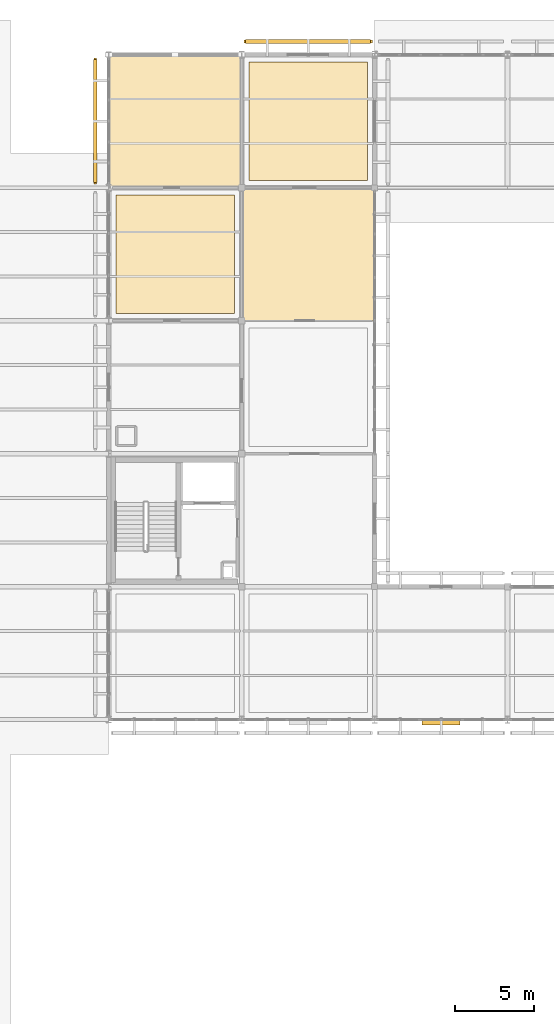
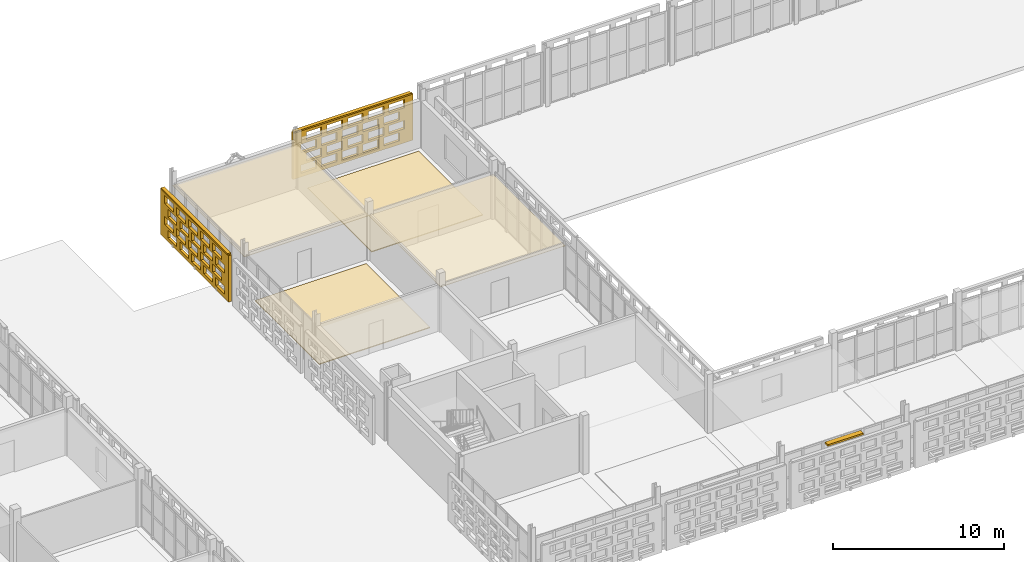
# One storey, part 139 of 166: 6 coverings, 3 shading devices, 40 openings.
"""IFC4 building model written with IfcOpenShell, lengths in metres."""

from ifc_helpers import new_model, si_unit, direction, frame, frame_2d, origin, origin_2d, place, context, subcontext, project, spatial, rectangle, extrude, material, layer, layer_set, type_object, element, save


model = new_model("IFC4")

# Units and contexts
model_context = context("Model", 3, precision=1e-05, world=origin(), true_north=direction((0.0, 1.0)))
body_context = subcontext(model_context, "Body", "Model", "MODEL_VIEW")
ifc_project = project(units=[si_unit("LENGTHUNIT", "METRE"), si_unit("AREAUNIT", "SQUARE_METRE"), si_unit("VOLUMEUNIT", "CUBIC_METRE"), si_unit("PLANEANGLEUNIT", "RADIAN"), si_unit("MASSUNIT", "GRAM", prefix="KILO")], contexts=[model_context])

# Site, building, storey
site_placement = place(None, origin())
site = spatial("IfcSite", under=ifc_project, at=site_placement, CompositionType="ELEMENT")
building_placement = place(site_placement, origin())
building = spatial("IfcBuilding", under=site, at=building_placement, Name="Varnapada Polytechnic", CompositionType="ELEMENT")
storey_placement = place(building_placement, frame((0.0, 0.0, 9.60009765625)))
storey = spatial("IfcBuildingStorey", under=building, at=storey_placement, Name="L02", CompositionType="ELEMENT", Elevation=9.60009765625)

# Coverings
ifc_material_1 = material(Name="Anti-Static Raised Laboratory Flooring")
ifc_layer_1 = layer(ifc_material_1, 0.06005859375)
ifc_layer_set_1 = layer_set([ifc_layer_1], Name="Anti-Static Raised Laboratory Flooring")
covering_type_1 = type_object("IfcCoveringType", Name="Floor Finish FLR-02", PredefinedType="FLOORING", material=ifc_layer_set_1)
for number, where, z_axis, x_axis, name in (
    (1, (54.60009765625, 113.39990234375, -0.000244140625), (0.0, 0.0, 1.0), (1.0, 0.0, 0.0), "L02 floor finish panel (7,14)"),
    (2, (63.0, 121.800048828125, -0.000244140625), (0.0, 0.0, 1.0), (1.0, 0.0, 0.0), "L02 floor finish panel (8,15)"),
):
    element("IfcCovering", number, at=place(storey_placement, frame(where, z_axis=z_axis, x_axis=x_axis)), inside=storey, type_object=covering_type_1, Name=name, PredefinedType="FLOORING", context=body_context, shape_type="SweptSolid", body=[
        extrude(rectangle(XDim=7.5, YDim=7.5, at=origin_2d()), origin(), (0.0, 0.0, 1.0), 0.06005859375),
    ])

# Shading device
ifc_material_2 = material(Name="Anodised aluminium", Category="aluminium")
ifc_layer_2 = layer(ifc_material_2, 0.35009765625)
ifc_layer_set_2 = layer_set([ifc_layer_2], Name="Anodised aluminium")
shading_device_type_1 = type_object("IfcShadingDeviceType", Name="Solar Louvre LVR-01", PredefinedType="JALOUSIE", material=ifc_layer_set_2)
shading_device_1_placement = place(storey_placement, frame((71.39990234375, 83.820068359375, 3.159912109375), z_axis=(0.0, 0.0, 1.0), x_axis=(-1.0, 0.0, 0.0)))
element("IfcShadingDevice", 3, at=shading_device_1_placement, inside=storey, type_object=shading_device_type_1, Name="L02 aluminium sun louvre 58", PredefinedType="JALOUSIE", context=body_context, shape_type="SweptSolid", body=[
    extrude(rectangle(XDim=2.39990234375, YDim=0.340087890625, at=origin_2d()), origin(), (0.0, 0.0, 1.0), 0.1201171875),
])

# Coverings
ifc_material_3 = material(Name="Moisture-Resistant Aluminum Baffle Ceiling", Category="aluminium")
ifc_layer_3 = layer(ifc_material_3, 0.030029296875)
ifc_layer_set_3 = layer_set([ifc_layer_3], Name="Moisture-Resistant Aluminum Baffle Ceiling")
covering_type_2 = type_object("IfcCoveringType", Name="Suspended Ceiling CLG-03", PredefinedType="CEILING", material=ifc_layer_set_3)
covering_1_placement = place(storey_placement, frame((63.0, 113.39990234375, 3.03466796875), z_axis=(0.0, 0.0, 1.0), x_axis=(1.0, 0.0, 0.0)))
element("IfcCovering", 4, at=covering_1_placement, inside=storey, type_object=covering_type_2, Name="L02 suspended acoustic ceiling (8,14)", PredefinedType="CEILING", context=body_context, shape_type="SweptSolid", body=[
    extrude(rectangle(XDim=8.419921875, YDim=8.419921875, at=origin_2d()), origin(), (0.0, 0.0, 1.0), 0.030029296875),
])
ifc_material_4 = material(Name="Cleanroom Laboratory Metal Pan Ceiling")
ifc_layer_4 = layer(ifc_material_4, 0.034912109375)
ifc_layer_set_4 = layer_set([ifc_layer_4], Name="Cleanroom Laboratory Metal Pan Ceiling")
covering_type_3 = type_object("IfcCoveringType", Name="Suspended Ceiling CLG-06", PredefinedType="CEILING", material=ifc_layer_set_4)
covering_2_placement = place(storey_placement, frame((54.60009765625, 121.800048828125, 3.0322265625), z_axis=(0.0, 0.0, 1.0), x_axis=(1.0, 0.0, 0.0)))
element("IfcCovering", 5, at=covering_2_placement, inside=storey, type_object=covering_type_3, Name="L02 suspended acoustic ceiling (7,15)", PredefinedType="CEILING", context=body_context, shape_type="SweptSolid", body=[
    extrude(rectangle(XDim=8.419921875, YDim=8.419921875, at=origin_2d()), origin(), (0.0, 0.0, 1.0), 0.034912109375),
])

# Covering, openings
ifc_material_5 = material(Name="Earth-toned architectural terracotta screen block", Category="masonry")
ifc_layer_5 = layer(ifc_material_5, 0.1201171875)
ifc_layer_set_5 = layer_set([ifc_layer_5], Name="Earth-toned architectural terracotta screen block")
covering_type_4 = type_object("IfcCoveringType", Name="Terracotta Screen Cladding CLD-01", PredefinedType="CLADDING", material=ifc_layer_set_5)
covering_3_placement = place(storey_placement, frame((49.550048828125, 117.824951171875, 0.0), z_axis=(0.0, 0.0, 1.0), x_axis=(0.0, 1.0, 0.0)))
covering_3 = element("IfcCovering", 6, at=covering_3_placement, inside=storey, type_object=covering_type_4, Name="L02 perforated terracotta block screen (51)", PredefinedType="CLADDING", context=body_context, shape_type="SweptSolid", body=[
    extrude(rectangle(XDim=7.97509765625, YDim=0.179931640625, at=frame_2d((3.987548828125, 0.0))), origin(), (0.0, 0.0, 1.0), 3.31982421875),
])
opening_1_placement = place(covering_3_placement, frame((0.487548828125, 0.0, 0.265625)))
element("IfcOpeningElement", 7, at=opening_1_placement, cuts=covering_3, Name="Screen perforation TBS-L02-050.1", PredefinedType="OPENING", context=body_context, shape_type="SweptSolid", body=[
    extrude(rectangle(XDim=1.0400390625, YDim=0.5810546875, at=frame_2d((0.52001953125, 0.29052734375))), frame((0.0, 0.099853515625, 0.0), z_axis=(0.0, -1.0, 0.0), x_axis=(1.0, 0.0, 0.0)), (0.0, 0.0, 1.0), 0.199951171875),
])
opening_2_placement = place(covering_3_placement, frame((1.887451171875, 0.0, 0.265625)))
element("IfcOpeningElement", 8, at=opening_2_placement, cuts=covering_3, Name="Screen perforation TBS-L02-050.2", PredefinedType="OPENING", context=body_context, shape_type="SweptSolid", body=[
    extrude(rectangle(XDim=1.0400390625, YDim=0.5810546875, at=frame_2d((0.52001953125, 0.29052734375))), frame((0.0, 0.099853515625, 0.0), z_axis=(0.0, -1.0, 0.0), x_axis=(1.0, 0.0, 0.0)), (0.0, 0.0, 1.0), 0.199951171875),
])
opening_3_placement = place(covering_3_placement, frame((3.28759765625, 0.0, 0.265625)))
element("IfcOpeningElement", 9, at=opening_3_placement, cuts=covering_3, Name="Screen perforation TBS-L02-050.3", PredefinedType="OPENING", context=body_context, shape_type="SweptSolid", body=[
    extrude(rectangle(XDim=1.0400390625, YDim=0.5810546875, at=frame_2d((0.52001953125, 0.29052734375))), frame((0.0, 0.099853515625, 0.0), z_axis=(0.0, -1.0, 0.0), x_axis=(1.0, 0.0, 0.0)), (0.0, 0.0, 1.0), 0.199951171875),
])
opening_4_placement = place(covering_3_placement, frame((4.6875, 0.0, 0.265625)))
element("IfcOpeningElement", 10, at=opening_4_placement, cuts=covering_3, Name="Screen perforation TBS-L02-050.4", PredefinedType="OPENING", context=body_context, shape_type="SweptSolid", body=[
    extrude(rectangle(XDim=1.0400390625, YDim=0.5810546875, at=frame_2d((0.52001953125, 0.29052734375))), frame((0.0, 0.099853515625, 0.0), z_axis=(0.0, -1.0, 0.0), x_axis=(1.0, 0.0, 0.0)), (0.0, 0.0, 1.0), 0.199951171875),
])
opening_5_placement = place(covering_3_placement, frame((6.08740234375, 0.0, 0.265625)))
element("IfcOpeningElement", 11, at=opening_5_placement, cuts=covering_3, Name="Screen perforation TBS-L02-050.5", PredefinedType="OPENING", context=body_context, shape_type="SweptSolid", body=[
    extrude(rectangle(XDim=1.0400390625, YDim=0.5810546875, at=frame_2d((0.52001953125, 0.29052734375))), frame((0.0, 0.099853515625, 0.0), z_axis=(0.0, -1.0, 0.0), x_axis=(1.0, 0.0, 0.0)), (0.0, 0.0, 1.0), 0.199951171875),
])
opening_6_placement = place(covering_3_placement, frame((0.847412109375, 0.0, 1.0126953125)))
element("IfcOpeningElement", 12, at=opening_6_placement, cuts=covering_3, Name="Screen perforation TBS-L02-050.6", PredefinedType="OPENING", context=body_context, shape_type="SweptSolid", body=[
    extrude(rectangle(XDim=1.0400390625, YDim=0.5810546875, at=frame_2d((0.52001953125, 0.29052734375))), frame((0.0, 0.099853515625, 0.0), z_axis=(0.0, -1.0, 0.0), x_axis=(1.0, 0.0, 0.0)), (0.0, 0.0, 1.0), 0.199951171875),
])
opening_7_placement = place(covering_3_placement, frame((2.24755859375, 0.0, 1.0126953125)))
element("IfcOpeningElement", 13, at=opening_7_placement, cuts=covering_3, Name="Screen perforation TBS-L02-050.7", PredefinedType="OPENING", context=body_context, shape_type="SweptSolid", body=[
    extrude(rectangle(XDim=1.0400390625, YDim=0.5810546875, at=frame_2d((0.52001953125, 0.29052734375))), frame((0.0, 0.099853515625, 0.0), z_axis=(0.0, -1.0, 0.0), x_axis=(1.0, 0.0, 0.0)), (0.0, 0.0, 1.0), 0.199951171875),
])
opening_8_placement = place(covering_3_placement, frame((3.6474609375, 0.0, 1.0126953125)))
element("IfcOpeningElement", 14, at=opening_8_placement, cuts=covering_3, Name="Screen perforation TBS-L02-050.8", PredefinedType="OPENING", context=body_context, shape_type="SweptSolid", body=[
    extrude(rectangle(XDim=1.0400390625, YDim=0.5810546875, at=frame_2d((0.52001953125, 0.29052734375))), frame((0.0, 0.099853515625, 0.0), z_axis=(0.0, -1.0, 0.0), x_axis=(1.0, 0.0, 0.0)), (0.0, 0.0, 1.0), 0.199951171875),
])
opening_9_placement = place(covering_3_placement, frame((5.047607421875, 0.0, 1.0126953125)))
element("IfcOpeningElement", 15, at=opening_9_placement, cuts=covering_3, Name="Screen perforation TBS-L02-050.9", PredefinedType="OPENING", context=body_context, shape_type="SweptSolid", body=[
    extrude(rectangle(XDim=1.0400390625, YDim=0.5810546875, at=frame_2d((0.52001953125, 0.29052734375))), frame((0.0, 0.099853515625, 0.0), z_axis=(0.0, -1.0, 0.0), x_axis=(1.0, 0.0, 0.0)), (0.0, 0.0, 1.0), 0.199951171875),
])
opening_10_placement = place(covering_3_placement, frame((6.447509765625, 0.0, 1.0126953125)))
element("IfcOpeningElement", 16, at=opening_10_placement, cuts=covering_3, Name="Screen perforation TBS-L02-050.10", PredefinedType="OPENING", context=body_context, shape_type="SweptSolid", body=[
    extrude(rectangle(XDim=1.0400390625, YDim=0.5810546875, at=frame_2d((0.52001953125, 0.29052734375))), frame((0.0, 0.099853515625, 0.0), z_axis=(0.0, -1.0, 0.0), x_axis=(1.0, 0.0, 0.0)), (0.0, 0.0, 1.0), 0.199951171875),
])
opening_11_placement = place(covering_3_placement, frame((0.487548828125, 0.0, 1.759521484375)))
element("IfcOpeningElement", 17, at=opening_11_placement, cuts=covering_3, Name="Screen perforation TBS-L02-050.11", PredefinedType="OPENING", context=body_context, shape_type="SweptSolid", body=[
    extrude(rectangle(XDim=1.0400390625, YDim=0.5810546875, at=frame_2d((0.52001953125, 0.29052734375))), frame((0.0, 0.099853515625, 0.0), z_axis=(0.0, -1.0, 0.0), x_axis=(1.0, 0.0, 0.0)), (0.0, 0.0, 1.0), 0.199951171875),
])
opening_12_placement = place(covering_3_placement, frame((1.887451171875, 0.0, 1.759521484375)))
element("IfcOpeningElement", 18, at=opening_12_placement, cuts=covering_3, Name="Screen perforation TBS-L02-050.12", PredefinedType="OPENING", context=body_context, shape_type="SweptSolid", body=[
    extrude(rectangle(XDim=1.0400390625, YDim=0.5810546875, at=frame_2d((0.52001953125, 0.29052734375))), frame((0.0, 0.099853515625, 0.0), z_axis=(0.0, -1.0, 0.0), x_axis=(1.0, 0.0, 0.0)), (0.0, 0.0, 1.0), 0.199951171875),
])
opening_13_placement = place(covering_3_placement, frame((3.28759765625, 0.0, 1.759521484375)))
element("IfcOpeningElement", 19, at=opening_13_placement, cuts=covering_3, Name="Screen perforation TBS-L02-050.13", PredefinedType="OPENING", context=body_context, shape_type="SweptSolid", body=[
    extrude(rectangle(XDim=1.0400390625, YDim=0.5810546875, at=frame_2d((0.52001953125, 0.29052734375))), frame((0.0, 0.099853515625, 0.0), z_axis=(0.0, -1.0, 0.0), x_axis=(1.0, 0.0, 0.0)), (0.0, 0.0, 1.0), 0.199951171875),
])
opening_14_placement = place(covering_3_placement, frame((4.6875, 0.0, 1.759521484375)))
element("IfcOpeningElement", 20, at=opening_14_placement, cuts=covering_3, Name="Screen perforation TBS-L02-050.14", PredefinedType="OPENING", context=body_context, shape_type="SweptSolid", body=[
    extrude(rectangle(XDim=1.0400390625, YDim=0.5810546875, at=frame_2d((0.52001953125, 0.29052734375))), frame((0.0, 0.099853515625, 0.0), z_axis=(0.0, -1.0, 0.0), x_axis=(1.0, 0.0, 0.0)), (0.0, 0.0, 1.0), 0.199951171875),
])
opening_15_placement = place(covering_3_placement, frame((6.08740234375, 0.0, 1.759521484375)))
element("IfcOpeningElement", 21, at=opening_15_placement, cuts=covering_3, Name="Screen perforation TBS-L02-050.15", PredefinedType="OPENING", context=body_context, shape_type="SweptSolid", body=[
    extrude(rectangle(XDim=1.0400390625, YDim=0.5810546875, at=frame_2d((0.52001953125, 0.29052734375))), frame((0.0, 0.099853515625, 0.0), z_axis=(0.0, -1.0, 0.0), x_axis=(1.0, 0.0, 0.0)), (0.0, 0.0, 1.0), 0.199951171875),
])
opening_16_placement = place(covering_3_placement, frame((0.847412109375, 0.0, 2.506591796875)))
element("IfcOpeningElement", 22, at=opening_16_placement, cuts=covering_3, Name="Screen perforation TBS-L02-050.16", PredefinedType="OPENING", context=body_context, shape_type="SweptSolid", body=[
    extrude(rectangle(XDim=1.0400390625, YDim=0.5810546875, at=frame_2d((0.52001953125, 0.29052734375))), frame((0.0, 0.099853515625, 0.0), z_axis=(0.0, -1.0, 0.0), x_axis=(1.0, 0.0, 0.0)), (0.0, 0.0, 1.0), 0.199951171875),
])
opening_17_placement = place(covering_3_placement, frame((2.24755859375, 0.0, 2.506591796875)))
element("IfcOpeningElement", 23, at=opening_17_placement, cuts=covering_3, Name="Screen perforation TBS-L02-050.17", PredefinedType="OPENING", context=body_context, shape_type="SweptSolid", body=[
    extrude(rectangle(XDim=1.0400390625, YDim=0.5810546875, at=frame_2d((0.52001953125, 0.29052734375))), frame((0.0, 0.099853515625, 0.0), z_axis=(0.0, -1.0, 0.0), x_axis=(1.0, 0.0, 0.0)), (0.0, 0.0, 1.0), 0.199951171875),
])
opening_18_placement = place(covering_3_placement, frame((3.6474609375, 0.0, 2.506591796875)))
element("IfcOpeningElement", 24, at=opening_18_placement, cuts=covering_3, Name="Screen perforation TBS-L02-050.18", PredefinedType="OPENING", context=body_context, shape_type="SweptSolid", body=[
    extrude(rectangle(XDim=1.0400390625, YDim=0.5810546875, at=frame_2d((0.52001953125, 0.29052734375))), frame((0.0, 0.099853515625, 0.0), z_axis=(0.0, -1.0, 0.0), x_axis=(1.0, 0.0, 0.0)), (0.0, 0.0, 1.0), 0.199951171875),
])
opening_19_placement = place(covering_3_placement, frame((5.047607421875, 0.0, 2.506591796875)))
element("IfcOpeningElement", 25, at=opening_19_placement, cuts=covering_3, Name="Screen perforation TBS-L02-050.19", PredefinedType="OPENING", context=body_context, shape_type="SweptSolid", body=[
    extrude(rectangle(XDim=1.0400390625, YDim=0.5810546875, at=frame_2d((0.52001953125, 0.29052734375))), frame((0.0, 0.099853515625, 0.0), z_axis=(0.0, -1.0, 0.0), x_axis=(1.0, 0.0, 0.0)), (0.0, 0.0, 1.0), 0.199951171875),
])
opening_20_placement = place(covering_3_placement, frame((6.447509765625, 0.0, 2.506591796875)))
element("IfcOpeningElement", 26, at=opening_20_placement, cuts=covering_3, Name="Screen perforation TBS-L02-050.20", PredefinedType="OPENING", context=body_context, shape_type="SweptSolid", body=[
    extrude(rectangle(XDim=1.0400390625, YDim=0.5810546875, at=frame_2d((0.52001953125, 0.29052734375))), frame((0.0, 0.099853515625, 0.0), z_axis=(0.0, -1.0, 0.0), x_axis=(1.0, 0.0, 0.0)), (0.0, 0.0, 1.0), 0.199951171875),
])

covering_4_placement = place(storey_placement, frame((58.949951171875, 126.85009765625, 0.0), z_axis=(0.0, 0.0, 1.0), x_axis=(1.0, 0.0, 0.0)))
covering_4 = element("IfcCovering", 27, at=covering_4_placement, inside=storey, type_object=covering_type_4, Name="L02 perforated terracotta block screen (56)", PredefinedType="CLADDING", context=body_context, shape_type="SweptSolid", body=[
    extrude(rectangle(XDim=8.10009765625, YDim=0.179931640625, at=frame_2d((4.050048828125, 0.0))), origin(), (0.0, 0.0, 1.0), 3.31982421875),
])
opening_21_placement = place(covering_4_placement, frame((0.550048828125, 0.0, 0.265625)))
element("IfcOpeningElement", 28, at=opening_21_placement, cuts=covering_4, Name="Screen perforation TBS-L02-055.1", PredefinedType="OPENING", context=body_context, shape_type="SweptSolid", body=[
    extrude(rectangle(XDim=1.0400390625, YDim=0.5810546875, at=frame_2d((0.52001953125, 0.29052734375))), frame((0.0, 0.099853515625, 0.0), z_axis=(0.0, -1.0, 0.0), x_axis=(1.0, 0.0, 0.0)), (0.0, 0.0, 1.0), 0.199951171875),
])
opening_22_placement = place(covering_4_placement, frame((1.949951171875, 0.0, 0.265625)))
element("IfcOpeningElement", 29, at=opening_22_placement, cuts=covering_4, Name="Screen perforation TBS-L02-055.2", PredefinedType="OPENING", context=body_context, shape_type="SweptSolid", body=[
    extrude(rectangle(XDim=1.0400390625, YDim=0.5810546875, at=frame_2d((0.52001953125, 0.29052734375))), frame((0.0, 0.099853515625, 0.0), z_axis=(0.0, -1.0, 0.0), x_axis=(1.0, 0.0, 0.0)), (0.0, 0.0, 1.0), 0.199951171875),
])
opening_23_placement = place(covering_4_placement, frame((3.35009765625, 0.0, 0.265625)))
element("IfcOpeningElement", 30, at=opening_23_placement, cuts=covering_4, Name="Screen perforation TBS-L02-055.3", PredefinedType="OPENING", context=body_context, shape_type="SweptSolid", body=[
    extrude(rectangle(XDim=1.0400390625, YDim=0.5810546875, at=frame_2d((0.52001953125, 0.29052734375))), frame((0.0, 0.099853515625, 0.0), z_axis=(0.0, -1.0, 0.0), x_axis=(1.0, 0.0, 0.0)), (0.0, 0.0, 1.0), 0.199951171875),
])
opening_24_placement = place(covering_4_placement, frame((4.75, 0.0, 0.265625)))
element("IfcOpeningElement", 31, at=opening_24_placement, cuts=covering_4, Name="Screen perforation TBS-L02-055.4", PredefinedType="OPENING", context=body_context, shape_type="SweptSolid", body=[
    extrude(rectangle(XDim=1.0400390625, YDim=0.5810546875, at=frame_2d((0.52001953125, 0.29052734375))), frame((0.0, 0.099853515625, 0.0), z_axis=(0.0, -1.0, 0.0), x_axis=(1.0, 0.0, 0.0)), (0.0, 0.0, 1.0), 0.199951171875),
])
opening_25_placement = place(covering_4_placement, frame((6.14990234375, 0.0, 0.265625)))
element("IfcOpeningElement", 32, at=opening_25_placement, cuts=covering_4, Name="Screen perforation TBS-L02-055.5", PredefinedType="OPENING", context=body_context, shape_type="SweptSolid", body=[
    extrude(rectangle(XDim=1.0400390625, YDim=0.5810546875, at=frame_2d((0.52001953125, 0.29052734375))), frame((0.0, 0.099853515625, 0.0), z_axis=(0.0, -1.0, 0.0), x_axis=(1.0, 0.0, 0.0)), (0.0, 0.0, 1.0), 0.199951171875),
])
opening_26_placement = place(covering_4_placement, frame((0.909912109375, 0.0, 1.0126953125)))
element("IfcOpeningElement", 33, at=opening_26_placement, cuts=covering_4, Name="Screen perforation TBS-L02-055.6", PredefinedType="OPENING", context=body_context, shape_type="SweptSolid", body=[
    extrude(rectangle(XDim=1.0400390625, YDim=0.5810546875, at=frame_2d((0.52001953125, 0.29052734375))), frame((0.0, 0.099853515625, 0.0), z_axis=(0.0, -1.0, 0.0), x_axis=(1.0, 0.0, 0.0)), (0.0, 0.0, 1.0), 0.199951171875),
])
opening_27_placement = place(covering_4_placement, frame((2.31005859375, 0.0, 1.0126953125)))
element("IfcOpeningElement", 34, at=opening_27_placement, cuts=covering_4, Name="Screen perforation TBS-L02-055.7", PredefinedType="OPENING", context=body_context, shape_type="SweptSolid", body=[
    extrude(rectangle(XDim=1.0400390625, YDim=0.5810546875, at=frame_2d((0.52001953125, 0.29052734375))), frame((0.0, 0.099853515625, 0.0), z_axis=(0.0, -1.0, 0.0), x_axis=(1.0, 0.0, 0.0)), (0.0, 0.0, 1.0), 0.199951171875),
])
opening_28_placement = place(covering_4_placement, frame((3.7099609375, 0.0, 1.0126953125)))
element("IfcOpeningElement", 35, at=opening_28_placement, cuts=covering_4, Name="Screen perforation TBS-L02-055.8", PredefinedType="OPENING", context=body_context, shape_type="SweptSolid", body=[
    extrude(rectangle(XDim=1.0400390625, YDim=0.5810546875, at=frame_2d((0.52001953125, 0.29052734375))), frame((0.0, 0.099853515625, 0.0), z_axis=(0.0, -1.0, 0.0), x_axis=(1.0, 0.0, 0.0)), (0.0, 0.0, 1.0), 0.199951171875),
])
opening_29_placement = place(covering_4_placement, frame((5.110107421875, 0.0, 1.0126953125)))
element("IfcOpeningElement", 36, at=opening_29_placement, cuts=covering_4, Name="Screen perforation TBS-L02-055.9", PredefinedType="OPENING", context=body_context, shape_type="SweptSolid", body=[
    extrude(rectangle(XDim=1.0400390625, YDim=0.5810546875, at=frame_2d((0.52001953125, 0.29052734375))), frame((0.0, 0.099853515625, 0.0), z_axis=(0.0, -1.0, 0.0), x_axis=(1.0, 0.0, 0.0)), (0.0, 0.0, 1.0), 0.199951171875),
])
opening_30_placement = place(covering_4_placement, frame((6.510009765625, 0.0, 1.0126953125)))
element("IfcOpeningElement", 37, at=opening_30_placement, cuts=covering_4, Name="Screen perforation TBS-L02-055.10", PredefinedType="OPENING", context=body_context, shape_type="SweptSolid", body=[
    extrude(rectangle(XDim=1.0400390625, YDim=0.5810546875, at=frame_2d((0.52001953125, 0.29052734375))), frame((0.0, 0.099853515625, 0.0), z_axis=(0.0, -1.0, 0.0), x_axis=(1.0, 0.0, 0.0)), (0.0, 0.0, 1.0), 0.199951171875),
])
opening_31_placement = place(covering_4_placement, frame((0.550048828125, 0.0, 1.759521484375)))
element("IfcOpeningElement", 38, at=opening_31_placement, cuts=covering_4, Name="Screen perforation TBS-L02-055.11", PredefinedType="OPENING", context=body_context, shape_type="SweptSolid", body=[
    extrude(rectangle(XDim=1.0400390625, YDim=0.5810546875, at=frame_2d((0.52001953125, 0.29052734375))), frame((0.0, 0.099853515625, 0.0), z_axis=(0.0, -1.0, 0.0), x_axis=(1.0, 0.0, 0.0)), (0.0, 0.0, 1.0), 0.199951171875),
])
opening_32_placement = place(covering_4_placement, frame((1.949951171875, 0.0, 1.759521484375)))
element("IfcOpeningElement", 39, at=opening_32_placement, cuts=covering_4, Name="Screen perforation TBS-L02-055.12", PredefinedType="OPENING", context=body_context, shape_type="SweptSolid", body=[
    extrude(rectangle(XDim=1.0400390625, YDim=0.5810546875, at=frame_2d((0.52001953125, 0.29052734375))), frame((0.0, 0.099853515625, 0.0), z_axis=(0.0, -1.0, 0.0), x_axis=(1.0, 0.0, 0.0)), (0.0, 0.0, 1.0), 0.199951171875),
])
opening_33_placement = place(covering_4_placement, frame((3.35009765625, 0.0, 1.759521484375)))
element("IfcOpeningElement", 40, at=opening_33_placement, cuts=covering_4, Name="Screen perforation TBS-L02-055.13", PredefinedType="OPENING", context=body_context, shape_type="SweptSolid", body=[
    extrude(rectangle(XDim=1.0400390625, YDim=0.5810546875, at=frame_2d((0.52001953125, 0.29052734375))), frame((0.0, 0.099853515625, 0.0), z_axis=(0.0, -1.0, 0.0), x_axis=(1.0, 0.0, 0.0)), (0.0, 0.0, 1.0), 0.199951171875),
])
opening_34_placement = place(covering_4_placement, frame((4.75, 0.0, 1.759521484375)))
element("IfcOpeningElement", 41, at=opening_34_placement, cuts=covering_4, Name="Screen perforation TBS-L02-055.14", PredefinedType="OPENING", context=body_context, shape_type="SweptSolid", body=[
    extrude(rectangle(XDim=1.0400390625, YDim=0.5810546875, at=frame_2d((0.52001953125, 0.29052734375))), frame((0.0, 0.099853515625, 0.0), z_axis=(0.0, -1.0, 0.0), x_axis=(1.0, 0.0, 0.0)), (0.0, 0.0, 1.0), 0.199951171875),
])
opening_35_placement = place(covering_4_placement, frame((6.14990234375, 0.0, 1.759521484375)))
element("IfcOpeningElement", 42, at=opening_35_placement, cuts=covering_4, Name="Screen perforation TBS-L02-055.15", PredefinedType="OPENING", context=body_context, shape_type="SweptSolid", body=[
    extrude(rectangle(XDim=1.0400390625, YDim=0.5810546875, at=frame_2d((0.52001953125, 0.29052734375))), frame((0.0, 0.099853515625, 0.0), z_axis=(0.0, -1.0, 0.0), x_axis=(1.0, 0.0, 0.0)), (0.0, 0.0, 1.0), 0.199951171875),
])
opening_36_placement = place(covering_4_placement, frame((0.909912109375, 0.0, 2.506591796875)))
element("IfcOpeningElement", 43, at=opening_36_placement, cuts=covering_4, Name="Screen perforation TBS-L02-055.16", PredefinedType="OPENING", context=body_context, shape_type="SweptSolid", body=[
    extrude(rectangle(XDim=1.0400390625, YDim=0.5810546875, at=frame_2d((0.52001953125, 0.29052734375))), frame((0.0, 0.099853515625, 0.0), z_axis=(0.0, -1.0, 0.0), x_axis=(1.0, 0.0, 0.0)), (0.0, 0.0, 1.0), 0.199951171875),
])
opening_37_placement = place(covering_4_placement, frame((2.31005859375, 0.0, 2.506591796875)))
element("IfcOpeningElement", 44, at=opening_37_placement, cuts=covering_4, Name="Screen perforation TBS-L02-055.17", PredefinedType="OPENING", context=body_context, shape_type="SweptSolid", body=[
    extrude(rectangle(XDim=1.0400390625, YDim=0.5810546875, at=frame_2d((0.52001953125, 0.29052734375))), frame((0.0, 0.099853515625, 0.0), z_axis=(0.0, -1.0, 0.0), x_axis=(1.0, 0.0, 0.0)), (0.0, 0.0, 1.0), 0.199951171875),
])
opening_38_placement = place(covering_4_placement, frame((3.7099609375, 0.0, 2.506591796875)))
element("IfcOpeningElement", 45, at=opening_38_placement, cuts=covering_4, Name="Screen perforation TBS-L02-055.18", PredefinedType="OPENING", context=body_context, shape_type="SweptSolid", body=[
    extrude(rectangle(XDim=1.0400390625, YDim=0.5810546875, at=frame_2d((0.52001953125, 0.29052734375))), frame((0.0, 0.099853515625, 0.0), z_axis=(0.0, -1.0, 0.0), x_axis=(1.0, 0.0, 0.0)), (0.0, 0.0, 1.0), 0.199951171875),
])
opening_39_placement = place(covering_4_placement, frame((5.110107421875, 0.0, 2.506591796875)))
element("IfcOpeningElement", 46, at=opening_39_placement, cuts=covering_4, Name="Screen perforation TBS-L02-055.19", PredefinedType="OPENING", context=body_context, shape_type="SweptSolid", body=[
    extrude(rectangle(XDim=1.0400390625, YDim=0.5810546875, at=frame_2d((0.52001953125, 0.29052734375))), frame((0.0, 0.099853515625, 0.0), z_axis=(0.0, -1.0, 0.0), x_axis=(1.0, 0.0, 0.0)), (0.0, 0.0, 1.0), 0.199951171875),
])
opening_40_placement = place(covering_4_placement, frame((6.510009765625, 0.0, 2.506591796875)))
element("IfcOpeningElement", 47, at=opening_40_placement, cuts=covering_4, Name="Screen perforation TBS-L02-055.20", PredefinedType="OPENING", context=body_context, shape_type="SweptSolid", body=[
    extrude(rectangle(XDim=1.0400390625, YDim=0.5810546875, at=frame_2d((0.52001953125, 0.29052734375))), frame((0.0, 0.099853515625, 0.0), z_axis=(0.0, -1.0, 0.0), x_axis=(1.0, 0.0, 0.0)), (0.0, 0.0, 1.0), 0.199951171875),
])

# Shading devices
ifc_layer_6 = layer(ifc_material_5, 0.179931640625)
ifc_layer_set_6 = layer_set([ifc_layer_6], Name="Earth-toned architectural terracotta screen block")
shading_device_type_2 = type_object("IfcShadingDeviceType", Name="Terracotta Screen SCR-01", PredefinedType="USERDEFINED", material=ifc_layer_set_6)
shading_device_2_placement = place(storey_placement, frame((49.550048828125, 121.8125, 3.309814453125), z_axis=(0.0, 0.0, 1.0), x_axis=(0.0, 1.0, 0.0)))
element("IfcShadingDevice", 48, at=shading_device_2_placement, inside=storey, type_object=shading_device_type_2, Name="L02 perforated terracotta screen hood 276", ObjectType="SCREEN", PredefinedType="USERDEFINED", context=body_context, shape_type="SweptSolid", body=[
    extrude(rectangle(XDim=7.77490234375, YDim=0.239990234375, at=origin_2d()), origin(), (0.0, 0.0, 1.0), 0.10009765625),
])
shading_device_3_placement = place(storey_placement, frame((63.0, 126.85009765625, 3.309814453125), z_axis=(0.0, 0.0, 1.0), x_axis=(1.0, 0.0, 0.0)))
element("IfcShadingDevice", 49, at=shading_device_3_placement, inside=storey, type_object=shading_device_type_2, Name="L02 perforated terracotta screen hood 281", ObjectType="SCREEN", PredefinedType="USERDEFINED", context=body_context, shape_type="SweptSolid", body=[
    extrude(rectangle(XDim=7.89990234375, YDim=0.239990234375, at=origin_2d()), origin(), (0.0, 0.0, 1.0), 0.10009765625),
])

save(model, "model.ifc")
